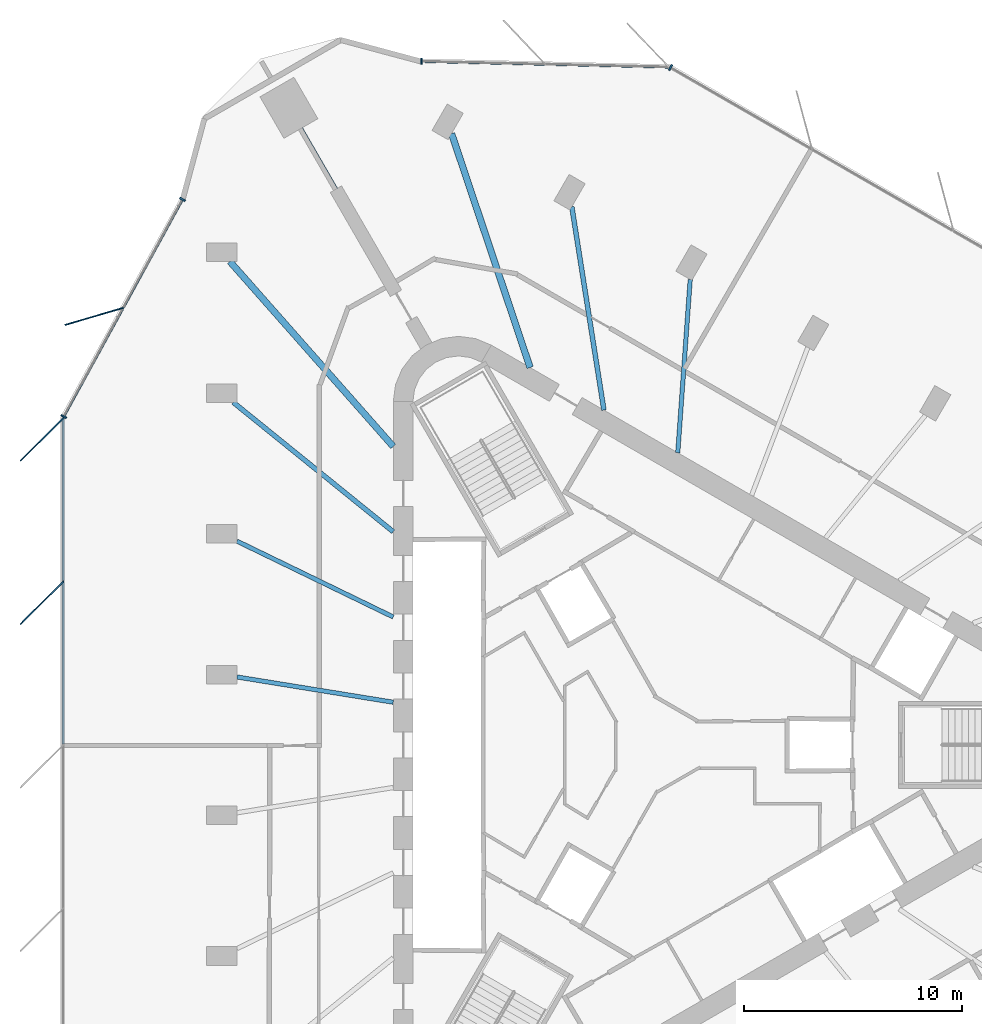
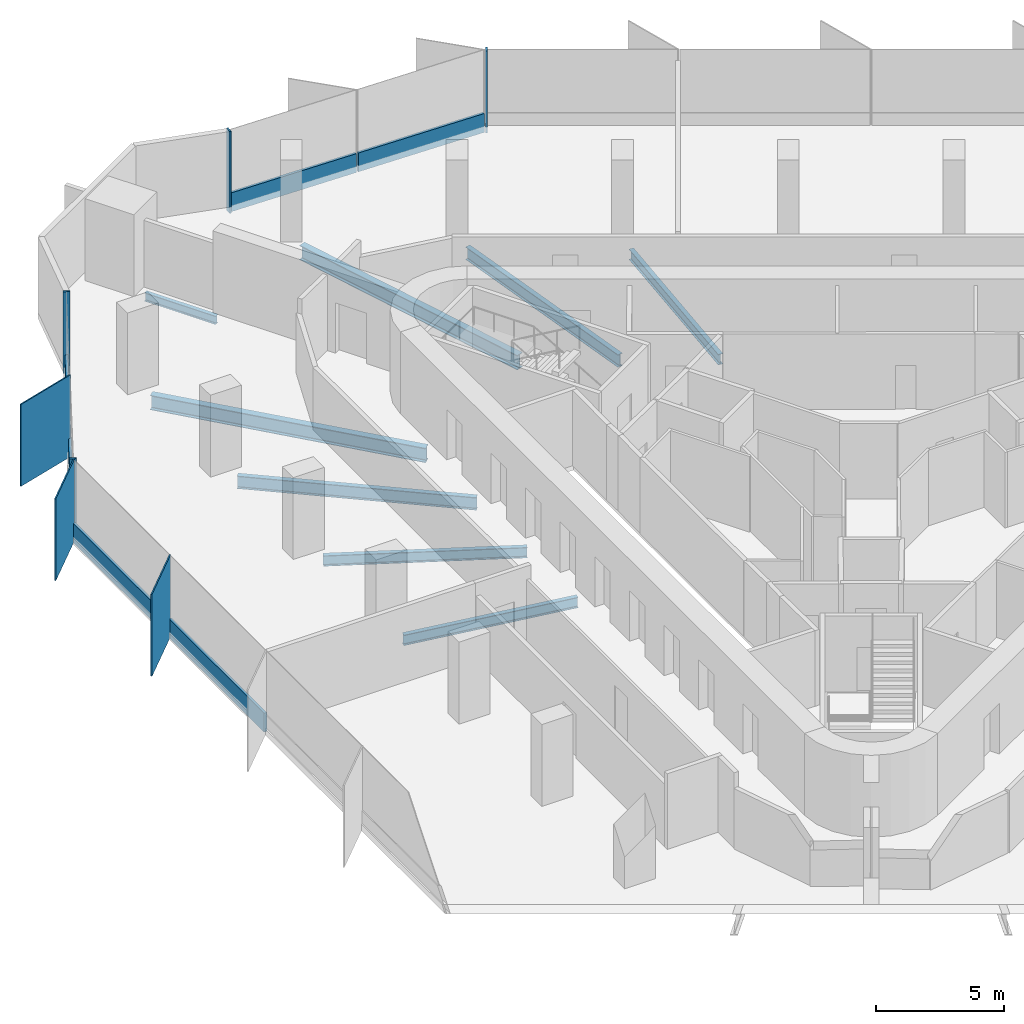
# One storey, part 4 of 12: 13 members, 8 beams, 4 elements without a shape of their own.
"""IFC4 building model written with IfcOpenShell, lengths in metres."""

from ifc_helpers import new_model, si_unit, direction, frame, origin, origin_2d, place, context, subcontext, project, spatial, rectangle, i_section, extrude, material, material_profile, profile_set, type_object, element, aggregate, save


model = new_model("IFC4")

# Units and contexts
model_context = context("Model", 3, precision=1e-05, world=origin(), true_north=direction((0.0, 1.0)))
body_context = subcontext(model_context, "Body", "Model", "MODEL_VIEW")
ifc_project = project(units=[si_unit("LENGTHUNIT", "METRE"), si_unit("AREAUNIT", "SQUARE_METRE"), si_unit("VOLUMEUNIT", "CUBIC_METRE"), si_unit("PLANEANGLEUNIT", "RADIAN"), si_unit("MASSUNIT", "GRAM", prefix="KILO")], contexts=[model_context])

# Site, building, storey
site_placement = place(None, origin())
site = spatial("IfcSite", under=ifc_project, at=site_placement, CompositionType="ELEMENT")
building_placement = place(site_placement, origin())
building = spatial("IfcBuilding", under=site, at=building_placement, Name="Tanit Gate Tower", CompositionType="ELEMENT")
storey_placement = place(building_placement, frame((0.0, 0.0, 337.699951171875)))
storey = spatial("IfcBuildingStorey", under=building, at=storey_placement, Name="L76", CompositionType="ELEMENT", Elevation=337.699951171875)

# Curtain wall, member
ifc_material_1 = material(Name="Aluminium bronze anodised and glass", Category="aluminium")
curtain_wall_type = type_object("IfcCurtainWallType", Name="Curtain wall typical high", PredefinedType="NOTDEFINED", material=ifc_material_1)
curtain_wall_1_placement = place(storey_placement, origin())
curtain_wall_1 = element("IfcCurtainWall", 1, at=curtain_wall_1_placement, inside=storey, type_object=curtain_wall_type, Name="Curtain wall L76 W1", PredefinedType="NOTDEFINED")
ifc_material_2 = material(Name="Aluminium bronze anodised", Category="aluminium")
ifc_material_profile_1 = material_profile(ifc_material_2, rectangle(XDim=2.800048828125, YDim=0.055908203125, at=origin_2d()), Name="56x2800 bronze fin mullion")
ifc_profile_set_1 = profile_set([ifc_material_profile_1], Name="Aluminium bronze anodised")
member_type_1 = type_object("IfcMemberType", Name="FIN MULLION 56x2800 bronze", PredefinedType="MULLION", material=ifc_profile_set_1)
member_1_placement = place(storey_placement, frame((-25.835693359375, 19.67919921875, -0.300048828125), z_axis=(0.0, 0.0, 1.0), x_axis=(0.959706253462, 0.281005172666, 0.0)))
member_1 = element("IfcMember", 2, at=member_1_placement, type_object=member_type_1, Name="Fin mullion L76 W1.2", PredefinedType="MULLION", context=body_context, shape_type="SweptSolid", body=[
    extrude(rectangle(XDim=2.800048828125, YDim=0.055908203125, at=origin_2d()), origin(), (0.0, 0.0, 1.0), 3.900146484375),
])

# Curtain wall, members
curtain_wall_2_placement = place(storey_placement, origin())
curtain_wall_2 = element("IfcCurtainWall", 3, at=curtain_wall_2_placement, inside=storey, type_object=curtain_wall_type, Name="Curtain wall L76 W2", PredefinedType="NOTDEFINED")
member_2_placement = place(storey_placement, frame((-28.232666015625, 14.0322265625, -0.300048828125), z_axis=(0.0, 0.0, 1.0), x_axis=(0.707155809403, 0.707057749571, 0.0)))
member_2 = element("IfcMember", 4, at=member_2_placement, type_object=member_type_1, Name="Fin mullion L76 W2.1", PredefinedType="MULLION", context=body_context, shape_type="SweptSolid", body=[
    extrude(rectangle(XDim=2.800048828125, YDim=0.055908203125, at=origin_2d()), origin(), (0.0, 0.0, 1.0), 3.900146484375),
])
member_3_placement = place(storey_placement, frame((-28.233154296875, 6.528076171875, -0.300048828125), z_axis=(0.0, 0.0, 1.0), x_axis=(0.707155809403, 0.707057749571, 0.0)))
member_3 = element("IfcMember", 5, at=member_3_placement, type_object=member_type_1, Name="Fin mullion L76 W2.2", PredefinedType="MULLION", context=body_context, shape_type="SweptSolid", body=[
    extrude(rectangle(XDim=2.800048828125, YDim=0.055908203125, at=origin_2d()), origin(), (0.0, 0.0, 1.0), 3.900146484375),
])

# Curtain wall, member
curtain_wall_3_placement = place(storey_placement, origin())
curtain_wall_3 = element("IfcCurtainWall", 6, at=curtain_wall_3_placement, inside=storey, type_object=curtain_wall_type, Name="Curtain wall L76 NE2", PredefinedType="NOTDEFINED")
ifc_material_3 = material(Name="Aluminium bronze anodised", Category="aluminium")
ifc_material_profile_2 = material_profile(ifc_material_3, rectangle(XDim=0.280029296875, YDim=0.080078125, at=origin_2d()), Name="80x280 bronze mullion")
ifc_profile_set_2 = profile_set([ifc_material_profile_2], Name="Aluminium bronze anodised")
member_type_2 = type_object("IfcMemberType", Name="Mullion 80x280 typical high", PredefinedType="MULLION", material=ifc_profile_set_2)
member_4_placement = place(storey_placement, frame((0.632080078125, 31.11083984375, -0.300048828125), z_axis=(0.0, 0.0, 1.0), x_axis=(-0.500060047936, -0.865990732317, 0.0)))
member_4 = element("IfcMember", 7, at=member_4_placement, type_object=member_type_2, Name="Mullion L76 NE2.5", PredefinedType="MULLION", context=body_context, shape_type="SweptSolid", body=[
    extrude(rectangle(XDim=0.280029296875, YDim=0.080078125, at=origin_2d()), origin(), (0.0, 0.0, 1.0), 3.900146484375),
])
aggregate(curtain_wall_3, [member_4])

curtain_wall_4_placement = place(storey_placement, origin())
curtain_wall_4 = element("IfcCurtainWall", 8, at=curtain_wall_4_placement, inside=storey, type_object=curtain_wall_type, Name="Curtain wall L76 NE3", PredefinedType="NOTDEFINED")
member_5_placement = place(storey_placement, frame((-10.802490234375, 31.3916015625, -0.300048828125), z_axis=(0.0, 0.0, 1.0), x_axis=(-0.022879847229, -0.999738222032, 0.0)))
member_5 = element("IfcMember", 9, at=member_5_placement, type_object=member_type_2, Name="Mullion L76 NE3.3", PredefinedType="MULLION", context=body_context, shape_type="SweptSolid", body=[
    extrude(rectangle(XDim=0.280029296875, YDim=0.080078125, at=origin_2d()), origin(), (0.0, 0.0, 1.0), 3.900146484375),
])

# Member
member_6_placement = place(storey_placement, frame((-21.78466796875, 25.051025390625, -0.300048828125), z_axis=(0.0, 0.0, 1.0), x_axis=(0.877315462911, -0.47991413663, 0.0)))
member_6 = element("IfcMember", 10, at=member_6_placement, type_object=member_type_2, Name="Mullion L76 W1.1", PredefinedType="MULLION", context=body_context, shape_type="SweptSolid", body=[
    extrude(rectangle(XDim=0.280029296875, YDim=0.080078125, at=origin_2d()), origin(), (0.0, 0.0, 1.0), 3.900146484375),
])

member_7_placement = place(storey_placement, frame((-27.237548828125, 15.0830078125, -0.300048828125), z_axis=(0.0, 0.0, 1.0), x_axis=(0.877315462911, -0.47991413663, 0.0)))
member_7 = element("IfcMember", 11, at=member_7_placement, type_object=member_type_2, Name="Mullion L76 W1.3", PredefinedType="MULLION", context=body_context, shape_type="SweptSolid", body=[
    extrude(rectangle(XDim=0.280029296875, YDim=0.080078125, at=origin_2d()), origin(), (0.0, 0.0, 1.0), 3.900146484375),
])

# Beams
ifc_material_4 = material(Name="Steel S355", Category="steel")
ifc_material_profile_3 = material_profile(ifc_material_4, i_section(OverallWidth=0.300048828125, OverallDepth=0.68994140625, WebThickness=0.014404296875, FlangeThickness=0.027099609375, FilletRadius=0.027099609375, at=origin_2d()), Name="HEA 700")
ifc_profile_set_3 = profile_set([ifc_material_profile_3], Name="Steel S355")
beam_type_1 = type_object("IfcBeamType", Name="RADIAL GIRDER HEA 700 S355", PredefinedType="BEAM", material=ifc_profile_set_3)
for number, where, z_axis, x_axis, name in (
    (12, (-9.42333984375, 28.075439453125, -0.64501953125), (0.318204952312, -0.948021945065, 0.0), (0.948021945065, 0.318204952312, 0.0), "RADIAL GIRDER"),
    (13, (-19.602294921875, 22.198486328125, -0.64501953125), (0.661911618894, -0.749581889304, 0.0), (0.749581889304, 0.661911618894, 0.0), "RADIAL GIRDER"),
):
    element("IfcBeam", number, at=place(storey_placement, frame(where, z_axis=z_axis, x_axis=x_axis)), inside=storey, type_object=beam_type_1, Name=name, PredefinedType="BEAM", context=body_context, shape_type="SweptSolid", body=[
        extrude(i_section(OverallWidth=0.300048828125, OverallDepth=0.68994140625, WebThickness=0.014404296875, FlangeThickness=0.027099609375, FilletRadius=0.027099609375, at=origin_2d()), origin(), (0.0, 0.0, 1.0), 11.331298828125),
    ])
ifc_material_5 = material(Name="Steel S355", Category="steel")
ifc_material_profile_4 = material_profile(ifc_material_5, i_section(OverallWidth=0.179931640625, OverallDepth=0.39990234375, WebThickness=0.008544921875, FlangeThickness=0.013427734375, FilletRadius=0.02099609375, at=origin_2d()), Name="IPE 400")
ifc_profile_set_4 = profile_set([ifc_material_profile_4], Name="Steel S355")
beam_type_2 = type_object("IfcBeamType", Name="RADIAL GIRDER IPE 400 S355", PredefinedType="BEAM", material=ifc_profile_set_4)
beam_1_placement = place(storey_placement, frame((-16.343505859375, 28.30810546875, -0.5), z_axis=(0.499967746641, -0.866044024469, 0.0), x_axis=(0.866044024469, 0.499967746641, 0.0)))
element("IfcBeam", 14, at=beam_1_placement, inside=storey, type_object=beam_type_2, Name="RADIAL GIRDER", PredefinedType="BEAM", context=body_context, shape_type="SweptSolid", body=[
    extrude(i_section(OverallWidth=0.179931640625, OverallDepth=0.39990234375, WebThickness=0.008544921875, FlangeThickness=0.013427734375, FilletRadius=0.02099609375, at=origin_2d()), origin(), (0.0, 0.0, 1.0), 3.216552734375),
])
ifc_material_6 = material(Name="Steel S355", Category="steel")
ifc_material_profile_5 = material_profile(ifc_material_6, i_section(OverallWidth=0.199951171875, OverallDepth=0.5, WebThickness=0.01025390625, FlangeThickness=0.01611328125, FilletRadius=0.02099609375, at=origin_2d()), Name="IPE 500")
ifc_profile_set_5 = profile_set([ifc_material_profile_5], Name="Steel S355")
beam_type_3 = type_object("IfcBeamType", Name="RADIAL GIRDER IPE 500 S355", PredefinedType="BEAM", material=ifc_profile_set_5)
for number, where, z_axis, x_axis, name in (
    (15, (1.5361328125, 21.373046875, -0.550048828125), (-0.071686446401, -0.997427217095, 0.0), (0.997427217095, -0.071686446401, 0.0), "RADIAL GIRDER"),
    (16, (-19.277587890625, 9.356201171875, -0.550048828125), (0.899635975272, -0.43664071271, 0.0), (0.43664071271, 0.899635975272, 0.0), "RADIAL GIRDER"),
):
    element("IfcBeam", number, at=place(storey_placement, frame(where, z_axis=z_axis, x_axis=x_axis)), inside=storey, type_object=beam_type_3, Name=name, PredefinedType="BEAM", context=body_context, shape_type="SweptSolid", body=[
        extrude(i_section(OverallWidth=0.199951171875, OverallDepth=0.5, WebThickness=0.01025390625, FlangeThickness=0.01611328125, FilletRadius=0.02099609375, at=origin_2d()), origin(), (0.0, 0.0, 1.0), 7.97607421875),
    ])
beam_2_placement = place(storey_placement, frame((-19.277587890625, 3.11865234375, -0.550048828125), z_axis=(0.987164361899, -0.159707615965, 0.0), x_axis=(0.159707615965, 0.987164361899, 0.0)))
element("IfcBeam", 17, at=beam_2_placement, inside=storey, type_object=beam_type_3, Name="RADIAL GIRDER", PredefinedType="BEAM", context=body_context, shape_type="SweptSolid", body=[
    extrude(i_section(OverallWidth=0.199951171875, OverallDepth=0.5, WebThickness=0.01025390625, FlangeThickness=0.01611328125, FilletRadius=0.02099609375, at=origin_2d()), origin(), (0.0, 0.0, 1.0), 7.268798828125),
])
ifc_material_7 = material(Name="Steel S355", Category="steel")
ifc_material_profile_6 = material_profile(ifc_material_7, i_section(OverallWidth=0.219970703125, OverallDepth=0.60009765625, WebThickness=0.011962890625, FlangeThickness=0.01904296875, FilletRadius=0.02392578125, at=origin_2d()), Name="IPE 600")
ifc_profile_set_6 = profile_set([ifc_material_profile_6], Name="Steel S355")
beam_type_4 = type_object("IfcBeamType", Name="RADIAL GIRDER IPE 600 S355", PredefinedType="BEAM", material=ifc_profile_set_6)
for number, where, z_axis, x_axis, name in (
    (18, (-3.900390625, 24.713623046875, -0.599853515625), (0.155875049661, -0.987776780904, 0.0), (0.987776780904, 0.155875049661, 0.0), "RADIAL GIRDER"),
    (19, (-19.452392578125, 15.734619140625, -0.599853515625), (0.777488974624, -0.628896568872, 0.0), (0.628896568872, 0.777488974624, 0.0), "RADIAL GIRDER"),
):
    element("IfcBeam", number, at=place(storey_placement, frame(where, z_axis=z_axis, x_axis=x_axis)), inside=storey, type_object=beam_type_4, Name=name, PredefinedType="BEAM", context=body_context, shape_type="SweptSolid", body=[
        extrude(i_section(OverallWidth=0.219970703125, OverallDepth=0.60009765625, WebThickness=0.011962890625, FlangeThickness=0.01904296875, FilletRadius=0.02392578125, at=origin_2d()), origin(), (0.0, 0.0, 1.0), 9.453857421875),
    ])

# Member
ifc_material_8 = material(Name="Aluminium bronze anodised", Category="aluminium")
ifc_material_profile_7 = material_profile(ifc_material_8, rectangle(XDim=0.1201171875, YDim=0.89990234375, at=origin_2d()), Name="120x900 bronze transom")
ifc_profile_set_7 = profile_set([ifc_material_profile_7], Name="Aluminium bronze anodised")
member_type_3 = type_object("IfcMemberType", Name="Transom 120x900 typical high", PredefinedType="USERDEFINED", material=ifc_profile_set_7)
member_8_placement = place(storey_placement, frame((0.517333984375, 31.132568359375, 0.150146484375), z_axis=(-0.999738154702, 0.022882788997, 0.0), x_axis=(-0.022882788997, -0.999738154702, 0.0)))
member_8 = element("IfcMember", 20, at=member_8_placement, type_object=member_type_3, Name="Transom L76 NE3.1", ObjectType="TRANSOM", PredefinedType="USERDEFINED", context=body_context, shape_type="SweptSolid", body=[
    extrude(rectangle(XDim=0.1201171875, YDim=0.89990234375, at=origin_2d()), origin(), (0.0, 0.0, 1.0), 5.601318359375),
])

member_9_placement = place(storey_placement, frame((-5.16259765625, 31.2626953125, 0.150146484375), z_axis=(-0.999738154702, 0.022882788997, 0.0), x_axis=(-0.022882788997, -0.999738154702, 0.0)))
member_9 = element("IfcMember", 21, at=member_9_placement, type_object=member_type_3, Name="Transom L76 NE3.2", ObjectType="TRANSOM", PredefinedType="USERDEFINED", context=body_context, shape_type="SweptSolid", body=[
    extrude(rectangle(XDim=0.1201171875, YDim=0.89990234375, at=origin_2d()), origin(), (0.0, 0.0, 1.0), 5.601318359375),
])

aggregate(curtain_wall_4, [member_5, member_8, member_9])

member_10_placement = place(storey_placement, frame((-21.803955078125, 25.01611328125, 0.150146484375), z_axis=(-0.47989622135, -0.877325262792, 0.0), x_axis=(0.877325262792, -0.47989622135, 0.0)))
member_10 = element("IfcMember", 22, at=member_10_placement, type_object=member_type_3, Name="Transom L76 W1.1", ObjectType="TRANSOM", PredefinedType="USERDEFINED", context=body_context, shape_type="SweptSolid", body=[
    extrude(rectangle(XDim=0.1201171875, YDim=0.89990234375, at=origin_2d()), origin(), (0.0, 0.0, 1.0), 5.60107421875),
])

member_11_placement = place(storey_placement, frame((-24.5302734375, 20.031982421875, 0.150146484375), z_axis=(-0.479914573296, -0.877315224044, 0.0), x_axis=(0.877315224044, -0.479914573296, 0.0)))
member_11 = element("IfcMember", 23, at=member_11_placement, type_object=member_type_3, Name="Transom L76 W1.2", ObjectType="TRANSOM", PredefinedType="USERDEFINED", context=body_context, shape_type="SweptSolid", body=[
    extrude(rectangle(XDim=0.1201171875, YDim=0.89990234375, at=origin_2d()), origin(), (0.0, 0.0, 1.0), 5.60107421875),
])

aggregate(curtain_wall_1, [member_6, member_1, member_7, member_10, member_11])

member_12_placement = place(storey_placement, frame((-27.256591796875, 14.968017578125, 0.150146484375), z_axis=(-6.5770002e-05, -0.999999997837, 0.0), x_axis=(0.999999997837, -6.5770002e-05, 0.0)))
member_12 = element("IfcMember", 24, at=member_12_placement, type_object=member_type_3, Name="Transom L76 W2.1", ObjectType="TRANSOM", PredefinedType="USERDEFINED", context=body_context, shape_type="SweptSolid", body=[
    extrude(rectangle(XDim=0.1201171875, YDim=0.89990234375, at=origin_2d()), origin(), (0.0, 0.0, 1.0), 7.424072265625),
])

member_13_placement = place(storey_placement, frame((-27.257080078125, 7.464111328125, 0.150146484375), z_axis=(-9.8655003e-05, -0.999999995134, 0.0), x_axis=(0.999999995134, -9.8655003e-05, 0.0)))
member_13 = element("IfcMember", 25, at=member_13_placement, type_object=member_type_3, Name="Transom L76 W2.2", ObjectType="TRANSOM", PredefinedType="USERDEFINED", context=body_context, shape_type="SweptSolid", body=[
    extrude(rectangle(XDim=0.1201171875, YDim=0.89990234375, at=origin_2d()), origin(), (0.0, 0.0, 1.0), 7.424072265625),
])

aggregate(curtain_wall_2, [member_2, member_3, member_12, member_13])

save(model, "model.ifc")
